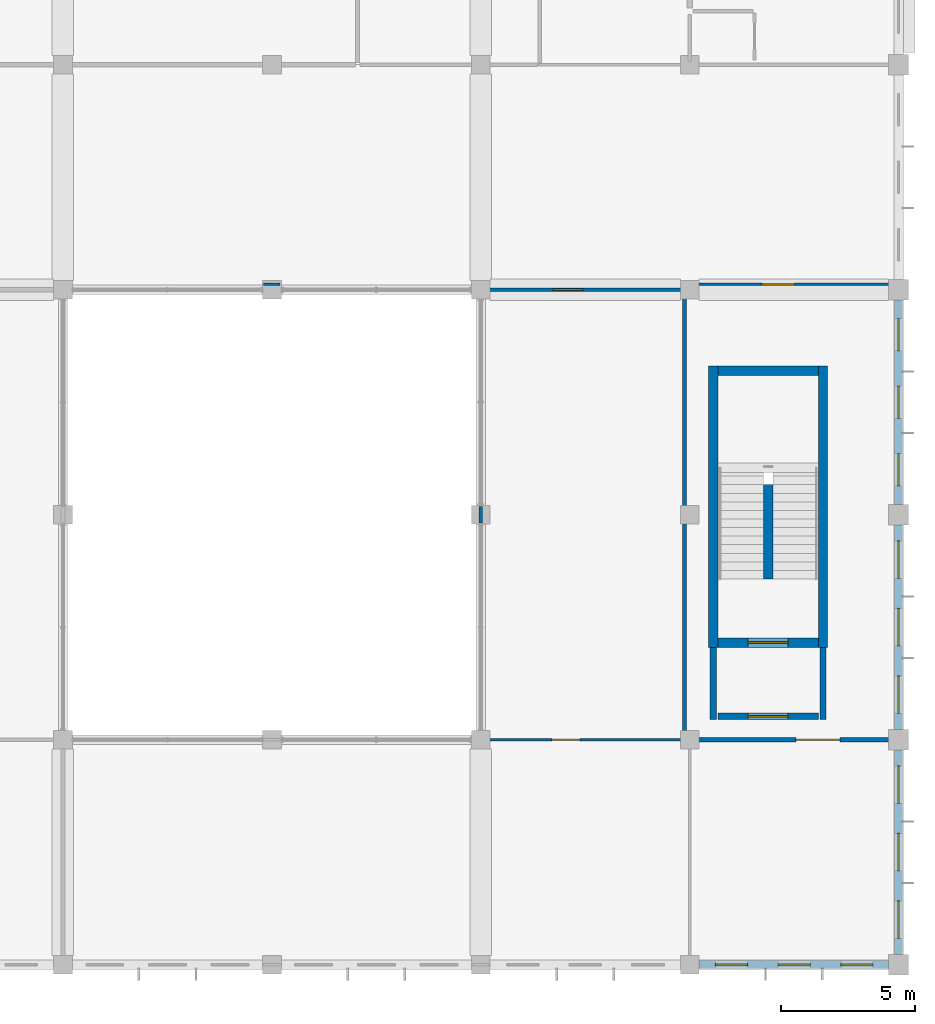
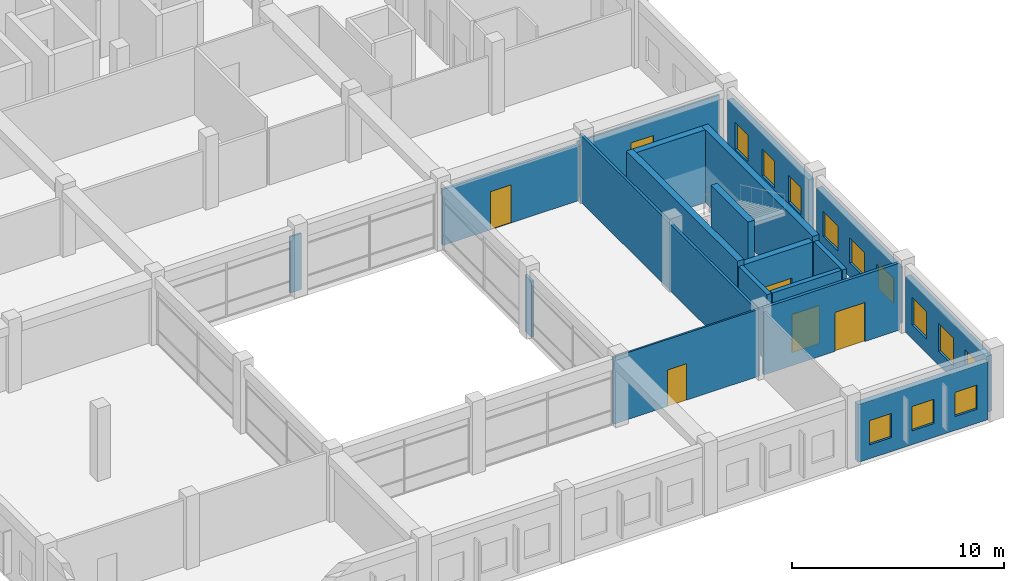
# One storey, part 32 of 53: 19 walls, 12 windows, 6 doors, 18 openings.
"""IFC4 building model written with IfcOpenShell, lengths in metres."""

from ifc_helpers import new_model, si_unit, direction, frame, frame_2d, origin, place, context, subcontext, project, spatial, rectangle, extrude, material, layer, layer_set, type_object, element, fill, save


model = new_model("IFC4")

# Units and contexts
model_context = context("Model", 3, precision=1e-05, world=origin(), true_north=direction((0.0, 1.0)))
body_context = subcontext(model_context, "Body", "Model", "MODEL_VIEW")
ifc_project = project(units=[si_unit("LENGTHUNIT", "METRE"), si_unit("AREAUNIT", "SQUARE_METRE"), si_unit("VOLUMEUNIT", "CUBIC_METRE"), si_unit("PLANEANGLEUNIT", "RADIAN"), si_unit("MASSUNIT", "GRAM", prefix="KILO"), si_unit("THERMODYNAMICTEMPERATUREUNIT", "KELVIN"), si_unit("POWERUNIT", "WATT")], contexts=[model_context])

# Site, building, storey
site_placement = place(None, origin())
site = spatial("IfcSite", under=ifc_project, at=site_placement, CompositionType="ELEMENT")
building_placement = place(site_placement, origin())
building = spatial("IfcBuilding", under=site, at=building_placement, Name="Srebrne Nadtorze General Hospital", CompositionType="ELEMENT")
storey_placement = place(building_placement, frame((0.0, 0.0, 18.0)))
storey = spatial("IfcBuildingStorey", under=building, at=storey_placement, Name="L04", CompositionType="ELEMENT", Elevation=18.0)

# Wall, opening, door
ifc_material_1 = material(Name="Gypsum Healthcare Partition")
ifc_layer_1 = layer(ifc_material_1, 0.139892578125)
ifc_layer_set_1 = layer_set([ifc_layer_1], Name="Gypsum Healthcare Partition")
wall_type_1 = type_object("IfcWallType", Name="Clinical partition 140", PredefinedType="PARTITIONING", material=ifc_layer_set_1)
wall_1_placement = place(storey_placement, frame((132.68505859375, 25.199951171875, 0.0), z_axis=(0.0, 0.0, 1.0), x_axis=(1.0, 0.0, 0.0)))
wall_1 = element("IfcWall", 1, at=wall_1_placement, inside=storey, type_object=wall_type_1, Name="Chemotherapy Preparation Room wall WL-INT-L04-1914", PredefinedType="PARTITIONING", context=body_context, shape_type="SweptSolid", body=[
    extrude(rectangle(XDim=7.429931640625, YDim=0.139892578125, at=frame_2d((3.71484375, 0.0))), origin(), (0.0, 0.0, 1.0), 3.235107421875),
])
opening_1_placement = place(wall_1_placement, frame((2.61767578125, 0.0, 0.0)))
opening_1 = element("IfcOpeningElement", 2, at=opening_1_placement, cuts=wall_1, Name="Opening D-L04-0371", PredefinedType="OPENING", context=body_context, shape_type="SweptSolid", body=[
    extrude(rectangle(XDim=1.1201171875, YDim=2.199951171875, at=frame_2d((0.56005859375, 1.10009765625))), frame((0.0, 0.08203125, 0.0), z_axis=(0.0, -1.0, 0.0), x_axis=(1.0, 0.0, 0.0)), (0.0, 0.0, 1.0), 0.163818359375),
])
ifc_material_2 = material(Name="Anodised Aluminium", Category="aluminium")
door_type_1 = type_object("IfcDoorType", Name="Single leaf door 1120x2200", OperationType="NOTDEFINED", PredefinedType="DOOR", material=ifc_material_2)
door_1_placement = place(opening_1_placement, frame((1.1201171875, 0.0, 0.0), z_axis=(0.0, 0.0, 1.0), x_axis=(-1.0, 0.0, 0.0)))
door_1 = element("IfcDoor", 3, at=door_1_placement, inside=storey, type_object=door_type_1, Name="Chemotherapy Preparation Room door D-L04-0371", OperationType="SINGLE_SWING_RIGHT", OverallHeight=2.199951171875, OverallWidth=1.1201171875, PredefinedType="DOOR", context=body_context, shape_type="SweptSolid", body=[
    extrude(rectangle(XDim=1.1201171875, YDim=2.199951171875, at=frame_2d((0.56005859375, 1.10009765625))), frame((0.0, 0.02490234375, 0.0), z_axis=(0.0, -1.0, 0.0), x_axis=(1.0, 0.0, 0.0)), (0.0, 0.0, 1.0), 0.050048828125),
])
fill(opening_1, door_1)

# Walls
wall_2_placement = place(storey_placement, frame((132.60009765625, 16.489990234375, 0.0), z_axis=(0.0, 0.0, 1.0), x_axis=(0.0, 1.0, 0.0)))
element("IfcWall", 4, at=wall_2_placement, inside=storey, type_object=wall_type_1, Name="Chemotherapy Preparation Room wall WL-INT-L04-1915", PredefinedType="PARTITIONING", context=body_context, shape_type="SweptSolid", body=[
    extrude(rectangle(XDim=0.6201171875, YDim=0.139892578125, at=frame_2d((0.31005859375, 0.0))), origin(), (0.0, 0.0, 1.0), 3.235107421875),
])
wall_3_placement = place(storey_placement, frame((140.199951171875, 8.485107421875, 0.0), z_axis=(0.0, 0.0, 1.0), x_axis=(0.0, 1.0, 0.0)))
element("IfcWall", 5, at=wall_3_placement, inside=storey, type_object=wall_type_1, Name="Chemotherapy Preparation Room wall WL-INT-L04-1916", PredefinedType="PARTITIONING", context=body_context, shape_type="SweptSolid", body=[
    extrude(rectangle(XDim=16.6298828125, YDim=0.139892578125, at=frame_2d((8.31494140625, 0.0))), origin(), (0.0, 0.0, 1.0), 3.864990234375),
])

# Wall, opening, door
ifc_material_3 = material(Name="Gypsum Healthcare Partition")
ifc_layer_2 = layer(ifc_material_3, 0.159912109375)
ifc_layer_set_2 = layer_set([ifc_layer_2], Name="Gypsum Healthcare Partition")
wall_type_2 = type_object("IfcWallType", Name="Clinical partition 160", PredefinedType="PARTITIONING", material=ifc_layer_set_2)
wall_4_placement = place(storey_placement, frame((140.485107421875, 8.39990234375, 0.0), z_axis=(0.0, 0.0, 1.0), x_axis=(1.0, 0.0, 0.0)))
wall_4 = element("IfcWall", 6, at=wall_4_placement, inside=storey, type_object=wall_type_2, Name="Outpatient Phlebotomy Consultation wall WL-INT-L04-1921", PredefinedType="PARTITIONING", context=body_context, shape_type="SweptSolid", body=[
    extrude(rectangle(XDim=7.429931640625, YDim=0.159912109375, at=frame_2d((3.71484375, 0.0))), origin(), (0.0, 0.0, 1.0), 3.864990234375),
])
opening_2_placement = place(wall_4_placement, frame((3.8798828125, 0.0, 0.0)))
opening_2 = element("IfcOpeningElement", 7, at=opening_2_placement, cuts=wall_4, Name="Opening D-L04-0373", PredefinedType="OPENING", context=body_context, shape_type="SweptSolid", body=[
    extrude(rectangle(XDim=1.64990234375, YDim=2.25, at=frame_2d((0.824951171875, 1.125))), frame((0.0, 0.091796875, 0.0), z_axis=(0.0, -1.0, 0.0), x_axis=(1.0, 0.0, 0.0)), (0.0, 0.0, 1.0), 0.183837890625),
])
ifc_material_4 = material(Name="Anodised Aluminium", Category="aluminium")
door_type_2 = type_object("IfcDoorType", Name="Double leaf door 1650x2250", OperationType="DOUBLE_DOOR_SINGLE_SWING", PredefinedType="DOOR", material=ifc_material_4)
door_2_placement = place(opening_2_placement, frame((1.64990234375, 0.0, 0.0), z_axis=(0.0, 0.0, 1.0), x_axis=(-1.0, 0.0, 0.0)))
door_2 = element("IfcDoor", 8, at=door_2_placement, inside=storey, type_object=door_type_2, Name="Outpatient Phlebotomy Consultation door D-L04-0373", OperationType="DOUBLE_DOOR_SINGLE_SWING", OverallHeight=2.25, OverallWidth=1.64990234375, PredefinedType="DOOR", context=body_context, shape_type="SweptSolid", body=[
    extrude(rectangle(XDim=1.64990234375, YDim=2.25, at=frame_2d((0.824951171875, 1.125))), frame((0.0, 0.02490234375, 0.0), z_axis=(0.0, -1.0, 0.0), x_axis=(1.0, 0.0, 0.0)), (0.0, 0.0, 1.0), 0.050048828125),
])
fill(opening_2, door_2)

# Walls
ifc_material_5 = material(Name="Gypsum Healthcare Partition")
ifc_layer_3 = layer(ifc_material_5, 0.239990234375)
ifc_layer_set_3 = layer_set([ifc_layer_3], Name="Gypsum Healthcare Partition")
wall_type_3 = type_object("IfcWallType", Name="Corridor fire wall 240", PredefinedType="STANDARD", material=ifc_layer_set_3)
for number, where, z_axis, x_axis, name in (
    (9, (141.27490234375, 9.155029296875, 0.0), (0.0, 0.0, 1.0), (0.0, 1.0, 0.0), "Fire lobby wall ST-08 WL-INT-L04-0333"),
    (10, (145.375, 9.155029296875, 0.0), (0.0, 0.0, 1.0), (0.0, 1.0, 0.0), "Fire lobby wall ST-08 WL-INT-L04-0334"),
):
    element("IfcWall", number, at=place(storey_placement, frame(where, z_axis=z_axis, x_axis=x_axis)), inside=storey, type_object=wall_type_3, Name=name, PredefinedType="STANDARD", context=body_context, shape_type="SweptSolid", body=[
        extrude(rectangle(XDim=2.695068359375, YDim=0.239990234375, at=frame_2d((1.34765625, 0.0))), origin(), (0.0, 0.0, 1.0), 3.885009765625),
    ])

# Wall, opening, door
wall_5_placement = place(storey_placement, frame((141.449951171875, 9.27490234375, 0.0), z_axis=(0.0, 0.0, 1.0), x_axis=(1.0, 0.0, 0.0)))
wall_5 = element("IfcWall", 11, at=wall_5_placement, inside=storey, type_object=wall_type_3, Name="Fire lobby entry wall ST-08 WL-INT-L04-0335", PredefinedType="STANDARD", context=body_context, shape_type="SweptSolid", body=[
    extrude(rectangle(XDim=3.75, YDim=0.239990234375, at=frame_2d((1.875, 0.0))), origin(), (0.0, 0.0, 1.0), 3.885009765625),
])
opening_3_placement = place(wall_5_placement, frame((1.125, 0.0, 0.0)))
opening_3 = element("IfcOpeningElement", 12, at=opening_3_placement, cuts=wall_5, Name="Opening D-L04-0084", PredefinedType="OPENING", context=body_context, shape_type="SweptSolid", body=[
    extrude(rectangle(XDim=1.5, YDim=2.199951171875, at=frame_2d((0.75, 1.10009765625))), frame((0.0, 0.1318359375, 0.0), z_axis=(0.0, -1.0, 0.0), x_axis=(1.0, 0.0, 0.0)), (0.0, 0.0, 1.0), 0.263916015625),
])
ifc_material_6 = material(Name="Anodised Aluminium", Category="aluminium")
door_type_3 = type_object("IfcDoorType", Name="Double leaf door 1500x2200", OperationType="DOUBLE_DOOR_SINGLE_SWING", PredefinedType="DOOR", material=ifc_material_6)
door_3_placement = place(opening_3_placement, origin())
door_3 = element("IfcDoor", 13, at=door_3_placement, inside=storey, type_object=door_type_3, Name="Fire lobby door ST-08 D-L04-0084", OperationType="DOUBLE_DOOR_SINGLE_SWING", OverallHeight=2.199951171875, OverallWidth=1.5, PredefinedType="DOOR", context=body_context, shape_type="SweptSolid", body=[
    extrude(rectangle(XDim=1.5, YDim=2.199951171875, at=frame_2d((0.75, 1.10009765625))), frame((0.0, 0.02490234375, 0.0), z_axis=(0.0, -1.0, 0.0), x_axis=(1.0, 0.0, 0.0)), (0.0, 0.0, 1.0), 0.050048828125),
])
fill(opening_3, door_3)

# Wall, openings, windows
ifc_material_7 = material(Name="Concrete C40/50 precast", Category="concrete")
ifc_layer_4 = layer(ifc_material_7, 0.300048828125)
ifc_layer_set_4 = layer_set([ifc_layer_4], Name="Concrete C40/50 precast")
wall_type_4 = type_object("IfcWallType", Name="Limestone precast wall 300", PredefinedType="STANDARD", material=ifc_layer_set_4)
wall_6_placement = place(storey_placement, frame((140.75, 0.0, 0.0), z_axis=(0.0, 0.0, 1.0), x_axis=(1.0, 0.0, 0.0)))
wall_6 = element("IfcWall", 14, at=wall_6_placement, inside=storey, type_object=wall_type_4, Name="Exterior wall WL-ENV-L04-0349", PredefinedType="STANDARD", context=body_context, shape_type="SweptSolid", body=[
    extrude(rectangle(XDim=7.074951171875, YDim=0.300048828125, at=frame_2d((3.53759765625, 0.0))), origin(), (0.0, 0.0, 1.0), 3.3349609375),
])
opening_4_placement = place(wall_6_placement, frame((0.610107421875, 0.0, 0.800048828125)))
opening_4 = element("IfcOpeningElement", 15, at=opening_4_placement, cuts=wall_6, Name="Opening WN-L04-0522", PredefinedType="OPENING", context=body_context, shape_type="SweptSolid", body=[
    extrude(rectangle(XDim=1.199951171875, YDim=1.39990234375, at=frame_2d((0.60009765625, 0.699951171875))), frame((0.0, 0.162109375, 0.0), z_axis=(0.0, -1.0, 0.0), x_axis=(1.0, 0.0, 0.0)), (0.0, 0.0, 1.0), 0.323974609375),
])
opening_5_placement = place(wall_6_placement, frame((2.949951171875, 0.0, 0.800048828125)))
opening_5 = element("IfcOpeningElement", 16, at=opening_5_placement, cuts=wall_6, Name="Opening WN-L04-0523", PredefinedType="OPENING", context=body_context, shape_type="SweptSolid", body=[
    extrude(rectangle(XDim=1.199951171875, YDim=1.39990234375, at=frame_2d((0.60009765625, 0.699951171875))), frame((0.0, 0.162109375, 0.0), z_axis=(0.0, -1.0, 0.0), x_axis=(1.0, 0.0, 0.0)), (0.0, 0.0, 1.0), 0.323974609375),
])
opening_6_placement = place(wall_6_placement, frame((5.2900390625, 0.0, 0.800048828125)))
opening_6 = element("IfcOpeningElement", 17, at=opening_6_placement, cuts=wall_6, Name="Opening WN-L04-0524", PredefinedType="OPENING", context=body_context, shape_type="SweptSolid", body=[
    extrude(rectangle(XDim=1.199951171875, YDim=1.39990234375, at=frame_2d((0.60009765625, 0.699951171875))), frame((0.0, 0.162109375, 0.0), z_axis=(0.0, -1.0, 0.0), x_axis=(1.0, 0.0, 0.0)), (0.0, 0.0, 1.0), 0.323974609375),
])
ifc_material_8 = material(Name="Triple Low-E Glazing", Category="glass")
window_type_1 = type_object("IfcWindowType", Name="Punched clinical window 1200x1400", PartitioningType="SINGLE_PANEL", PredefinedType="WINDOW", material=ifc_material_8)
window_1_placement = place(opening_4_placement, origin())
window_1 = element("IfcWindow", 18, at=window_1_placement, inside=storey, type_object=window_type_1, Name="Clinical window WN-L04-0522", OverallHeight=1.39990234375, OverallWidth=1.199951171875, PartitioningType="SINGLE_PANEL", PredefinedType="WINDOW", context=body_context, shape_type="SweptSolid", body=[
    extrude(rectangle(XDim=1.199951171875, YDim=1.39990234375, at=frame_2d((0.60009765625, 0.699951171875))), frame((0.0, 0.030029296875, 0.0), z_axis=(0.0, -1.0, 0.0), x_axis=(1.0, 0.0, 0.0)), (0.0, 0.0, 1.0), 0.06005859375),
])
fill(opening_4, window_1)
window_2_placement = place(opening_5_placement, origin())
window_2 = element("IfcWindow", 19, at=window_2_placement, inside=storey, type_object=window_type_1, Name="Clinical window WN-L04-0523", OverallHeight=1.39990234375, OverallWidth=1.199951171875, PartitioningType="SINGLE_PANEL", PredefinedType="WINDOW", context=body_context, shape_type="SweptSolid", body=[
    extrude(rectangle(XDim=1.199951171875, YDim=1.39990234375, at=frame_2d((0.60009765625, 0.699951171875))), frame((0.0, 0.030029296875, 0.0), z_axis=(0.0, -1.0, 0.0), x_axis=(1.0, 0.0, 0.0)), (0.0, 0.0, 1.0), 0.06005859375),
])
fill(opening_5, window_2)
window_3_placement = place(opening_6_placement, origin())
window_3 = element("IfcWindow", 20, at=window_3_placement, inside=storey, type_object=window_type_1, Name="Clinical window WN-L04-0524", OverallHeight=1.39990234375, OverallWidth=1.199951171875, PartitioningType="SINGLE_PANEL", PredefinedType="WINDOW", context=body_context, shape_type="SweptSolid", body=[
    extrude(rectangle(XDim=1.199951171875, YDim=1.39990234375, at=frame_2d((0.60009765625, 0.699951171875))), frame((0.0, 0.030029296875, 0.0), z_axis=(0.0, -1.0, 0.0), x_axis=(1.0, 0.0, 0.0)), (0.0, 0.0, 1.0), 0.06005859375),
])
fill(opening_6, window_3)

wall_7_placement = place(storey_placement, frame((148.199951171875, 0.375, 0.0), z_axis=(0.0, 0.0, 1.0), x_axis=(0.0, 1.0, 0.0)))
wall_7 = element("IfcWall", 21, at=wall_7_placement, inside=storey, type_object=wall_type_4, Name="Exterior wall WL-ENV-L04-0393", PredefinedType="STANDARD", context=body_context, shape_type="SweptSolid", body=[
    extrude(rectangle(XDim=7.64990234375, YDim=0.300048828125, at=frame_2d((3.824951171875, 0.0))), origin(), (0.0, 0.0, 1.0), 3.235107421875),
])
opening_7_placement = place(wall_7_placement, frame((0.60498046875, 0.0, 0.800048828125)))
opening_7 = element("IfcOpeningElement", 22, at=opening_7_placement, cuts=wall_7, Name="Opening WN-L04-0609", PredefinedType="OPENING", context=body_context, shape_type="SweptSolid", body=[
    extrude(rectangle(XDim=1.39990234375, YDim=1.60009765625, at=frame_2d((0.699951171875, 0.800048828125))), frame((0.0, 0.162109375, 0.0), z_axis=(0.0, -1.0, 0.0), x_axis=(1.0, 0.0, 0.0)), (0.0, 0.0, 1.0), 0.323974609375),
])
opening_8_placement = place(wall_7_placement, frame((3.125, 0.0, 0.800048828125)))
opening_8 = element("IfcOpeningElement", 23, at=opening_8_placement, cuts=wall_7, Name="Opening WN-L04-0610", PredefinedType="OPENING", context=body_context, shape_type="SweptSolid", body=[
    extrude(rectangle(XDim=1.39990234375, YDim=1.60009765625, at=frame_2d((0.699951171875, 0.800048828125))), frame((0.0, 0.162109375, 0.0), z_axis=(0.0, -1.0, 0.0), x_axis=(1.0, 0.0, 0.0)), (0.0, 0.0, 1.0), 0.323974609375),
])
opening_9_placement = place(wall_7_placement, frame((5.64501953125, 0.0, 0.800048828125)))
opening_9 = element("IfcOpeningElement", 24, at=opening_9_placement, cuts=wall_7, Name="Opening WN-L04-0611", PredefinedType="OPENING", context=body_context, shape_type="SweptSolid", body=[
    extrude(rectangle(XDim=1.39990234375, YDim=1.60009765625, at=frame_2d((0.699951171875, 0.800048828125))), frame((0.0, 0.162109375, 0.0), z_axis=(0.0, -1.0, 0.0), x_axis=(1.0, 0.0, 0.0)), (0.0, 0.0, 1.0), 0.323974609375),
])
ifc_material_9 = material(Name="Triple Low-E Glazing", Category="glass")
window_type_2 = type_object("IfcWindowType", Name="Punched clinical window 1400x1600", PartitioningType="SINGLE_PANEL", PredefinedType="WINDOW", material=ifc_material_9)
window_4_placement = place(opening_7_placement, origin())
window_4 = element("IfcWindow", 25, at=window_4_placement, inside=storey, type_object=window_type_2, Name="Clinical window WN-L04-0609", OverallHeight=1.60009765625, OverallWidth=1.39990234375, PartitioningType="SINGLE_PANEL", PredefinedType="WINDOW", context=body_context, shape_type="SweptSolid", body=[
    extrude(rectangle(XDim=1.39990234375, YDim=1.60009765625, at=frame_2d((0.699951171875, 0.800048828125))), frame((0.0, 0.030029296875, 0.0), z_axis=(0.0, -1.0, 0.0), x_axis=(1.0, 0.0, 0.0)), (0.0, 0.0, 1.0), 0.06005859375),
])
fill(opening_7, window_4)
window_5_placement = place(opening_8_placement, origin())
window_5 = element("IfcWindow", 26, at=window_5_placement, inside=storey, type_object=window_type_2, Name="Clinical window WN-L04-0610", OverallHeight=1.60009765625, OverallWidth=1.39990234375, PartitioningType="SINGLE_PANEL", PredefinedType="WINDOW", context=body_context, shape_type="SweptSolid", body=[
    extrude(rectangle(XDim=1.39990234375, YDim=1.60009765625, at=frame_2d((0.699951171875, 0.800048828125))), frame((0.0, 0.030029296875, 0.0), z_axis=(0.0, -1.0, 0.0), x_axis=(1.0, 0.0, 0.0)), (0.0, 0.0, 1.0), 0.06005859375),
])
fill(opening_8, window_5)
window_6_placement = place(opening_9_placement, origin())
window_6 = element("IfcWindow", 27, at=window_6_placement, inside=storey, type_object=window_type_2, Name="Clinical window WN-L04-0611", OverallHeight=1.60009765625, OverallWidth=1.39990234375, PartitioningType="SINGLE_PANEL", PredefinedType="WINDOW", context=body_context, shape_type="SweptSolid", body=[
    extrude(rectangle(XDim=1.39990234375, YDim=1.60009765625, at=frame_2d((0.699951171875, 0.800048828125))), frame((0.0, 0.030029296875, 0.0), z_axis=(0.0, -1.0, 0.0), x_axis=(1.0, 0.0, 0.0)), (0.0, 0.0, 1.0), 0.06005859375),
])
fill(opening_9, window_6)

wall_8_placement = place(storey_placement, frame((148.199951171875, 8.77490234375, 0.0), z_axis=(0.0, 0.0, 1.0), x_axis=(0.0, 1.0, 0.0)))
wall_8 = element("IfcWall", 28, at=wall_8_placement, inside=storey, type_object=wall_type_4, Name="Exterior wall WL-ENV-L04-0394", PredefinedType="STANDARD", context=body_context, shape_type="SweptSolid", body=[
    extrude(rectangle(XDim=7.650146484375, YDim=0.300048828125, at=frame_2d((3.8251953125, 0.0))), origin(), (0.0, 0.0, 1.0), 3.235107421875),
])
opening_10_placement = place(wall_8_placement, frame((0.60498046875, 0.0, 0.800048828125)))
opening_10 = element("IfcOpeningElement", 29, at=opening_10_placement, cuts=wall_8, Name="Opening WN-L04-0612", PredefinedType="OPENING", context=body_context, shape_type="SweptSolid", body=[
    extrude(rectangle(XDim=1.39990234375, YDim=1.449951171875, at=frame_2d((0.699951171875, 0.72509765625))), frame((0.0, 0.162109375, 0.0), z_axis=(0.0, -1.0, 0.0), x_axis=(1.0, 0.0, 0.0)), (0.0, 0.0, 1.0), 0.323974609375),
])
opening_11_placement = place(wall_8_placement, frame((3.125, 0.0, 0.800048828125)))
opening_11 = element("IfcOpeningElement", 30, at=opening_11_placement, cuts=wall_8, Name="Opening WN-L04-0613", PredefinedType="OPENING", context=body_context, shape_type="SweptSolid", body=[
    extrude(rectangle(XDim=1.39990234375, YDim=1.449951171875, at=frame_2d((0.699951171875, 0.72509765625))), frame((0.0, 0.162109375, 0.0), z_axis=(0.0, -1.0, 0.0), x_axis=(1.0, 0.0, 0.0)), (0.0, 0.0, 1.0), 0.323974609375),
])
opening_12_placement = place(wall_8_placement, frame((5.64501953125, 0.0, 0.800048828125)))
opening_12 = element("IfcOpeningElement", 31, at=opening_12_placement, cuts=wall_8, Name="Opening WN-L04-0614", PredefinedType="OPENING", context=body_context, shape_type="SweptSolid", body=[
    extrude(rectangle(XDim=1.39990234375, YDim=1.449951171875, at=frame_2d((0.699951171875, 0.72509765625))), frame((0.0, 0.162109375, 0.0), z_axis=(0.0, -1.0, 0.0), x_axis=(1.0, 0.0, 0.0)), (0.0, 0.0, 1.0), 0.323974609375),
])
ifc_material_10 = material(Name="Triple Low-E Glazing", Category="glass")
window_type_3 = type_object("IfcWindowType", Name="Punched clinical window 1400x1450", PartitioningType="SINGLE_PANEL", PredefinedType="WINDOW", material=ifc_material_10)
window_7_placement = place(opening_10_placement, origin())
window_7 = element("IfcWindow", 32, at=window_7_placement, inside=storey, type_object=window_type_3, Name="Clinical window WN-L04-0612", OverallHeight=1.449951171875, OverallWidth=1.39990234375, PartitioningType="SINGLE_PANEL", PredefinedType="WINDOW", context=body_context, shape_type="SweptSolid", body=[
    extrude(rectangle(XDim=1.39990234375, YDim=1.449951171875, at=frame_2d((0.699951171875, 0.72509765625))), frame((0.0, 0.030029296875, 0.0), z_axis=(0.0, -1.0, 0.0), x_axis=(1.0, 0.0, 0.0)), (0.0, 0.0, 1.0), 0.06005859375),
])
fill(opening_10, window_7)
window_8_placement = place(opening_11_placement, origin())
window_8 = element("IfcWindow", 33, at=window_8_placement, inside=storey, type_object=window_type_3, Name="Clinical window WN-L04-0613", OverallHeight=1.449951171875, OverallWidth=1.39990234375, PartitioningType="SINGLE_PANEL", PredefinedType="WINDOW", context=body_context, shape_type="SweptSolid", body=[
    extrude(rectangle(XDim=1.39990234375, YDim=1.449951171875, at=frame_2d((0.699951171875, 0.72509765625))), frame((0.0, 0.030029296875, 0.0), z_axis=(0.0, -1.0, 0.0), x_axis=(1.0, 0.0, 0.0)), (0.0, 0.0, 1.0), 0.06005859375),
])
fill(opening_11, window_8)
window_9_placement = place(opening_12_placement, origin())
window_9 = element("IfcWindow", 34, at=window_9_placement, inside=storey, type_object=window_type_3, Name="Clinical window WN-L04-0614", OverallHeight=1.449951171875, OverallWidth=1.39990234375, PartitioningType="SINGLE_PANEL", PredefinedType="WINDOW", context=body_context, shape_type="SweptSolid", body=[
    extrude(rectangle(XDim=1.39990234375, YDim=1.449951171875, at=frame_2d((0.699951171875, 0.72509765625))), frame((0.0, 0.030029296875, 0.0), z_axis=(0.0, -1.0, 0.0), x_axis=(1.0, 0.0, 0.0)), (0.0, 0.0, 1.0), 0.06005859375),
])
fill(opening_12, window_9)

wall_9_placement = place(storey_placement, frame((148.199951171875, 17.175048828125, 0.0), z_axis=(0.0, 0.0, 1.0), x_axis=(0.0, 1.0, 0.0)))
wall_9 = element("IfcWall", 35, at=wall_9_placement, inside=storey, type_object=wall_type_4, Name="Exterior wall WL-ENV-L04-0395", PredefinedType="STANDARD", context=body_context, shape_type="SweptSolid", body=[
    extrude(rectangle(XDim=7.64990234375, YDim=0.300048828125, at=frame_2d((3.824951171875, 0.0))), origin(), (0.0, 0.0, 1.0), 3.235107421875),
])
opening_13_placement = place(wall_9_placement, frame((0.705078125, 0.0, 0.800048828125)))
opening_13 = element("IfcOpeningElement", 36, at=opening_13_placement, cuts=wall_9, Name="Opening WN-L04-0615", PredefinedType="OPENING", context=body_context, shape_type="SweptSolid", body=[
    extrude(rectangle(XDim=1.199951171875, YDim=1.550048828125, at=frame_2d((0.60009765625, 0.77490234375))), frame((0.0, 0.162109375, 0.0), z_axis=(0.0, -1.0, 0.0), x_axis=(1.0, 0.0, 0.0)), (0.0, 0.0, 1.0), 0.323974609375),
])
opening_14_placement = place(wall_9_placement, frame((3.22509765625, 0.0, 0.800048828125)))
opening_14 = element("IfcOpeningElement", 37, at=opening_14_placement, cuts=wall_9, Name="Opening WN-L04-0616", PredefinedType="OPENING", context=body_context, shape_type="SweptSolid", body=[
    extrude(rectangle(XDim=1.199951171875, YDim=1.550048828125, at=frame_2d((0.60009765625, 0.77490234375))), frame((0.0, 0.162109375, 0.0), z_axis=(0.0, -1.0, 0.0), x_axis=(1.0, 0.0, 0.0)), (0.0, 0.0, 1.0), 0.323974609375),
])
opening_15_placement = place(wall_9_placement, frame((5.7451171875, 0.0, 0.800048828125)))
opening_15 = element("IfcOpeningElement", 38, at=opening_15_placement, cuts=wall_9, Name="Opening WN-L04-0617", PredefinedType="OPENING", context=body_context, shape_type="SweptSolid", body=[
    extrude(rectangle(XDim=1.199951171875, YDim=1.550048828125, at=frame_2d((0.60009765625, 0.77490234375))), frame((0.0, 0.162109375, 0.0), z_axis=(0.0, -1.0, 0.0), x_axis=(1.0, 0.0, 0.0)), (0.0, 0.0, 1.0), 0.323974609375),
])
ifc_material_11 = material(Name="Triple Low-E Glazing", Category="glass")
window_type_4 = type_object("IfcWindowType", Name="Punched clinical window 1200x1550", PartitioningType="SINGLE_PANEL", PredefinedType="WINDOW", material=ifc_material_11)
window_10_placement = place(opening_13_placement, origin())
window_10 = element("IfcWindow", 39, at=window_10_placement, inside=storey, type_object=window_type_4, Name="Clinical window WN-L04-0615", OverallHeight=1.550048828125, OverallWidth=1.199951171875, PartitioningType="SINGLE_PANEL", PredefinedType="WINDOW", context=body_context, shape_type="SweptSolid", body=[
    extrude(rectangle(XDim=1.199951171875, YDim=1.550048828125, at=frame_2d((0.60009765625, 0.77490234375))), frame((0.0, 0.030029296875, 0.0), z_axis=(0.0, -1.0, 0.0), x_axis=(1.0, 0.0, 0.0)), (0.0, 0.0, 1.0), 0.06005859375),
])
fill(opening_13, window_10)
window_11_placement = place(opening_14_placement, origin())
window_11 = element("IfcWindow", 40, at=window_11_placement, inside=storey, type_object=window_type_4, Name="Clinical window WN-L04-0616", OverallHeight=1.550048828125, OverallWidth=1.199951171875, PartitioningType="SINGLE_PANEL", PredefinedType="WINDOW", context=body_context, shape_type="SweptSolid", body=[
    extrude(rectangle(XDim=1.199951171875, YDim=1.550048828125, at=frame_2d((0.60009765625, 0.77490234375))), frame((0.0, 0.030029296875, 0.0), z_axis=(0.0, -1.0, 0.0), x_axis=(1.0, 0.0, 0.0)), (0.0, 0.0, 1.0), 0.06005859375),
])
fill(opening_14, window_11)
window_12_placement = place(opening_15_placement, origin())
window_12 = element("IfcWindow", 41, at=window_12_placement, inside=storey, type_object=window_type_4, Name="Clinical window WN-L04-0617", OverallHeight=1.550048828125, OverallWidth=1.199951171875, PartitioningType="SINGLE_PANEL", PredefinedType="WINDOW", context=body_context, shape_type="SweptSolid", body=[
    extrude(rectangle(XDim=1.199951171875, YDim=1.550048828125, at=frame_2d((0.60009765625, 0.77490234375))), frame((0.0, 0.030029296875, 0.0), z_axis=(0.0, -1.0, 0.0), x_axis=(1.0, 0.0, 0.0)), (0.0, 0.0, 1.0), 0.06005859375),
])
fill(opening_15, window_12)

# Wall, opening, door
ifc_material_12 = material(Name="Gypsum Healthcare Partition")
ifc_layer_5 = layer(ifc_material_12, 0.10009765625)
ifc_layer_set_5 = layer_set([ifc_layer_5], Name="Gypsum Healthcare Partition")
wall_type_5 = type_object("IfcWallType", Name="Shaft lining wall 100", PredefinedType="PARTITIONING", material=ifc_layer_set_5)
wall_10_placement = place(storey_placement, frame((132.2900390625, 8.39990234375, 0.0), z_axis=(0.0, 0.0, 1.0), x_axis=(1.0, 0.0, 0.0)))
wall_10 = element("IfcWall", 42, at=wall_10_placement, inside=storey, type_object=wall_type_5, Name="Outpatient Rheumatology Clinic wall WL-INT-L04-1907", PredefinedType="PARTITIONING", context=body_context, shape_type="SweptSolid", body=[
    extrude(rectangle(XDim=8.02490234375, YDim=0.10009765625, at=frame_2d((4.012451171875, 0.0))), origin(), (0.0, 0.0, 1.0), 3.864990234375),
])
opening_16_placement = place(wall_10_placement, frame((2.963623046875, 0.0, 0.0)))
opening_16 = element("IfcOpeningElement", 43, at=opening_16_placement, cuts=wall_10, Name="Opening D-L04-0369", PredefinedType="OPENING", context=body_context, shape_type="SweptSolid", body=[
    extrude(rectangle(XDim=1.050048828125, YDim=2.10009765625, at=frame_2d((0.52490234375, 1.050048828125))), frame((0.0, 0.06201171875, 0.0), z_axis=(0.0, -1.0, 0.0), x_axis=(1.0, 0.0, 0.0)), (0.0, 0.0, 1.0), 0.1240234375),
])
ifc_material_13 = material(Name="Anodised Aluminium", Category="aluminium")
door_type_4 = type_object("IfcDoorType", Name="Single leaf door 1050x2100", OperationType="NOTDEFINED", PredefinedType="DOOR", material=ifc_material_13)
door_4_placement = place(opening_16_placement, frame((1.050048828125, 0.0, 0.0), z_axis=(0.0, 0.0, 1.0), x_axis=(-1.0, 0.0, 0.0)))
door_4 = element("IfcDoor", 44, at=door_4_placement, inside=storey, type_object=door_type_4, Name="Outpatient Rheumatology Clinic door D-L04-0369", OperationType="SINGLE_SWING_RIGHT", OverallHeight=2.10009765625, OverallWidth=1.050048828125, PredefinedType="DOOR", context=body_context, shape_type="SweptSolid", body=[
    extrude(rectangle(XDim=1.050048828125, YDim=2.10009765625, at=frame_2d((0.52490234375, 1.050048828125))), frame((0.0, 0.02490234375, 0.0), z_axis=(0.0, -1.0, 0.0), x_axis=(1.0, 0.0, 0.0)), (0.0, 0.0, 1.0), 0.050048828125),
])
fill(opening_16, door_4)

# Wall
wall_11_placement = place(storey_placement, frame((124.489990234375, 25.39990234375, 0.0), z_axis=(0.0, 0.0, 1.0), x_axis=(1.0, 0.0, 0.0)))
element("IfcWall", 45, at=wall_11_placement, inside=storey, type_object=wall_type_5, Name="Outpatient Oncology Day Infusion Ward wall WL-INT-L04-1917", PredefinedType="PARTITIONING", context=body_context, shape_type="SweptSolid", body=[
    extrude(rectangle(XDim=0.6201171875, YDim=0.10009765625, at=frame_2d((0.31005859375, 0.0))), origin(), (0.0, 0.0, 1.0), 3.235107421875),
])

# Wall, opening, door
wall_12_placement = place(storey_placement, frame((140.155029296875, 25.39990234375, 0.0), z_axis=(0.0, 0.0, 1.0), x_axis=(1.0, 0.0, 0.0)))
wall_12 = element("IfcWall", 46, at=wall_12_placement, inside=storey, type_object=wall_type_5, Name="Outpatient Oncology Day Infusion Ward wall WL-INT-L04-1918", PredefinedType="PARTITIONING", context=body_context, shape_type="SweptSolid", body=[
    extrude(rectangle(XDim=7.760009765625, YDim=0.10009765625, at=frame_2d((3.8798828125, 0.0))), origin(), (0.0, 0.0, 1.0), 3.235107421875),
])
opening_17_placement = place(wall_12_placement, frame((2.934326171875, 0.0, 0.0)))
opening_17 = element("IfcOpeningElement", 47, at=opening_17_placement, cuts=wall_12, Name="Opening D-L04-0372", PredefinedType="OPENING", context=body_context, shape_type="SweptSolid", body=[
    extrude(rectangle(XDim=1.219970703125, YDim=2.14990234375, at=frame_2d((0.60986328125, 1.074951171875))), frame((0.0, 0.06201171875, 0.0), z_axis=(0.0, -1.0, 0.0), x_axis=(1.0, 0.0, 0.0)), (0.0, 0.0, 1.0), 0.1240234375),
])
ifc_material_14 = material(Name="Anodised Aluminium", Category="aluminium")
door_type_5 = type_object("IfcDoorType", Name="Single leaf door 1220x2150", OperationType="NOTDEFINED", PredefinedType="DOOR", material=ifc_material_14)
door_5_placement = place(opening_17_placement, origin())
door_5 = element("IfcDoor", 48, at=door_5_placement, inside=storey, type_object=door_type_5, Name="Outpatient Oncology Day Infusion Ward door D-L04-0372", OperationType="SINGLE_SWING_RIGHT", OverallHeight=2.14990234375, OverallWidth=1.219970703125, PredefinedType="DOOR", context=body_context, shape_type="SweptSolid", body=[
    extrude(rectangle(XDim=1.219970703125, YDim=2.14990234375, at=frame_2d((0.60986328125, 1.074951171875))), frame((0.0, 0.02490234375, 0.0), z_axis=(0.0, -1.0, 0.0), x_axis=(1.0, 0.0, 0.0)), (0.0, 0.0, 1.0), 0.050048828125),
])
fill(opening_17, door_5)

# Walls
ifc_material_15 = material(Name="Concrete C40/50", Category="concrete")
ifc_layer_6 = layer(ifc_material_15, 0.35009765625)
ifc_layer_set_6 = layer_set([ifc_layer_6], Name="Concrete C40/50")
wall_type_6 = type_object("IfcWallType", Name="Shear core wall 350", PredefinedType="SHEAR", material=ifc_layer_set_6)
for number, where, z_axis, x_axis, name in (
    (49, (141.27490234375, 11.85009765625, 0.0), (0.0, 0.0, 1.0), (0.0, 1.0, 0.0), "Stair core wall ST-08 WL-INT-L04-0329"),
    (50, (145.375, 11.85009765625, 0.0), (0.0, 0.0, 1.0), (0.0, 1.0, 0.0), "Stair core wall ST-08 WL-INT-L04-0330"),
):
    element("IfcWall", number, at=place(storey_placement, frame(where, z_axis=z_axis, x_axis=x_axis)), inside=storey, type_object=wall_type_6, Name=name, PredefinedType="SHEAR", context=body_context, shape_type="SweptSolid", body=[
        extrude(rectangle(XDim=10.5, YDim=0.35009765625, at=frame_2d((5.25, 0.0))), origin(), (0.0, 0.0, 1.0), 4.199951171875),
    ])
wall_13_placement = place(storey_placement, frame((141.449951171875, 22.175048828125, 0.0), z_axis=(0.0, 0.0, 1.0), x_axis=(1.0, 0.0, 0.0)))
element("IfcWall", 51, at=wall_13_placement, inside=storey, type_object=wall_type_6, Name="Stair core wall ST-08 WL-INT-L04-0331", PredefinedType="SHEAR", context=body_context, shape_type="SweptSolid", body=[
    extrude(rectangle(XDim=3.75, YDim=0.35009765625, at=frame_2d((1.875, 0.0))), origin(), (0.0, 0.0, 1.0), 4.199951171875),
])

# Wall, opening, door
wall_14_placement = place(storey_placement, frame((141.449951171875, 12.02490234375, 0.0), z_axis=(0.0, 0.0, 1.0), x_axis=(1.0, 0.0, 0.0)))
wall_14 = element("IfcWall", 52, at=wall_14_placement, inside=storey, type_object=wall_type_6, Name="Stairwell fire wall ST-08 WL-INT-L04-0332", PredefinedType="SHEAR", context=body_context, shape_type="SweptSolid", body=[
    extrude(rectangle(XDim=3.75, YDim=0.35009765625, at=frame_2d((1.875, 0.0))), origin(), (0.0, 0.0, 1.0), 3.885009765625),
])
opening_18_placement = place(wall_14_placement, frame((1.125, 0.0, 0.0)))
opening_18 = element("IfcOpeningElement", 53, at=opening_18_placement, cuts=wall_14, Name="Opening D-L04-0083", PredefinedType="OPENING", context=body_context, shape_type="SweptSolid", body=[
    extrude(rectangle(XDim=1.5, YDim=2.199951171875, at=frame_2d((0.75, 1.10009765625))), frame((0.0, 0.18701171875, 0.0), z_axis=(0.0, -1.0, 0.0), x_axis=(1.0, 0.0, 0.0)), (0.0, 0.0, 1.0), 0.3740234375),
])
door_6_placement = place(opening_18_placement, origin())
door_6 = element("IfcDoor", 54, at=door_6_placement, inside=storey, type_object=door_type_3, Name="Protected stair door ST-08 D-L04-0083", OperationType="DOUBLE_DOOR_SINGLE_SWING", OverallHeight=2.199951171875, OverallWidth=1.5, PredefinedType="DOOR", context=body_context, shape_type="SweptSolid", body=[
    extrude(rectangle(XDim=1.5, YDim=2.199951171875, at=frame_2d((0.75, 1.10009765625))), frame((0.0, 0.02490234375, 0.0), z_axis=(0.0, -1.0, 0.0), x_axis=(1.0, 0.0, 0.0)), (0.0, 0.0, 1.0), 0.050048828125),
])
fill(opening_18, door_6)

# Wall
wall_15_placement = place(storey_placement, frame((143.324951171875, 14.39990234375, 0.0), z_axis=(0.0, 0.0, 1.0), x_axis=(0.0, 1.0, 0.0)))
element("IfcWall", 55, at=wall_15_placement, inside=storey, type_object=wall_type_6, Name="Stair spine wall ST-08 WL-INT-L04-0336", PredefinedType="SHEAR", context=body_context, shape_type="SweptSolid", body=[
    extrude(rectangle(XDim=3.52001953125, YDim=0.35009765625, at=frame_2d((1.760009765625, 0.0))), origin(), (0.0, 0.0, 1.0), 4.199951171875),
])

save(model, "model.ifc")
